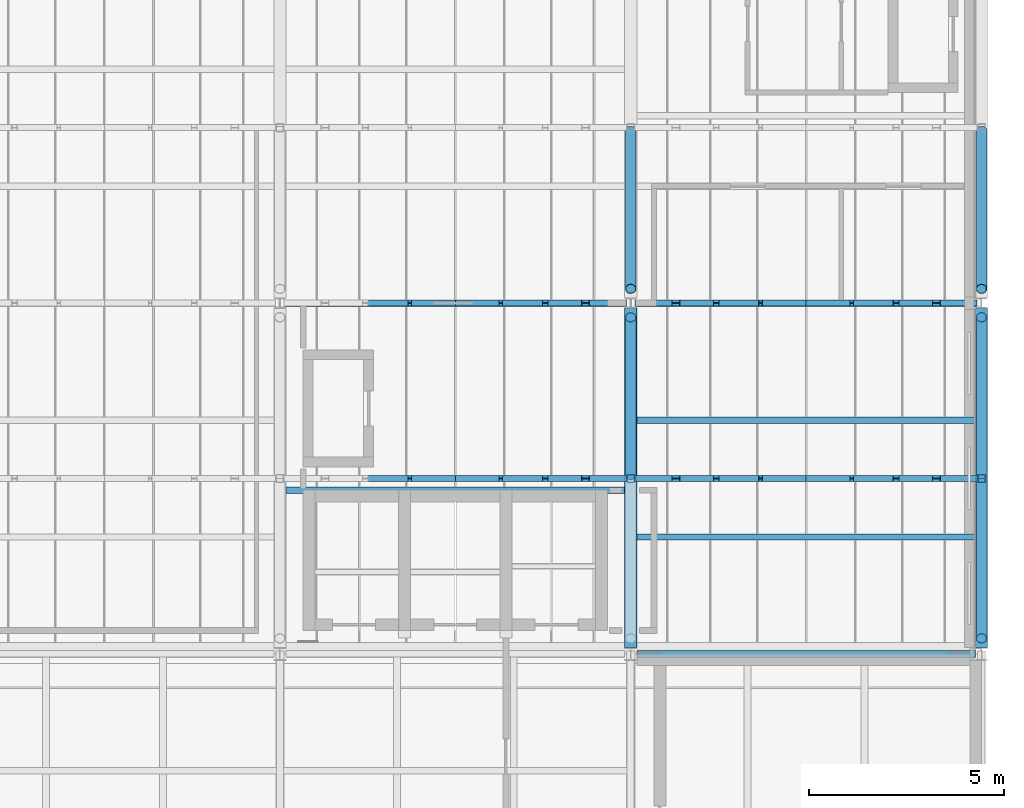
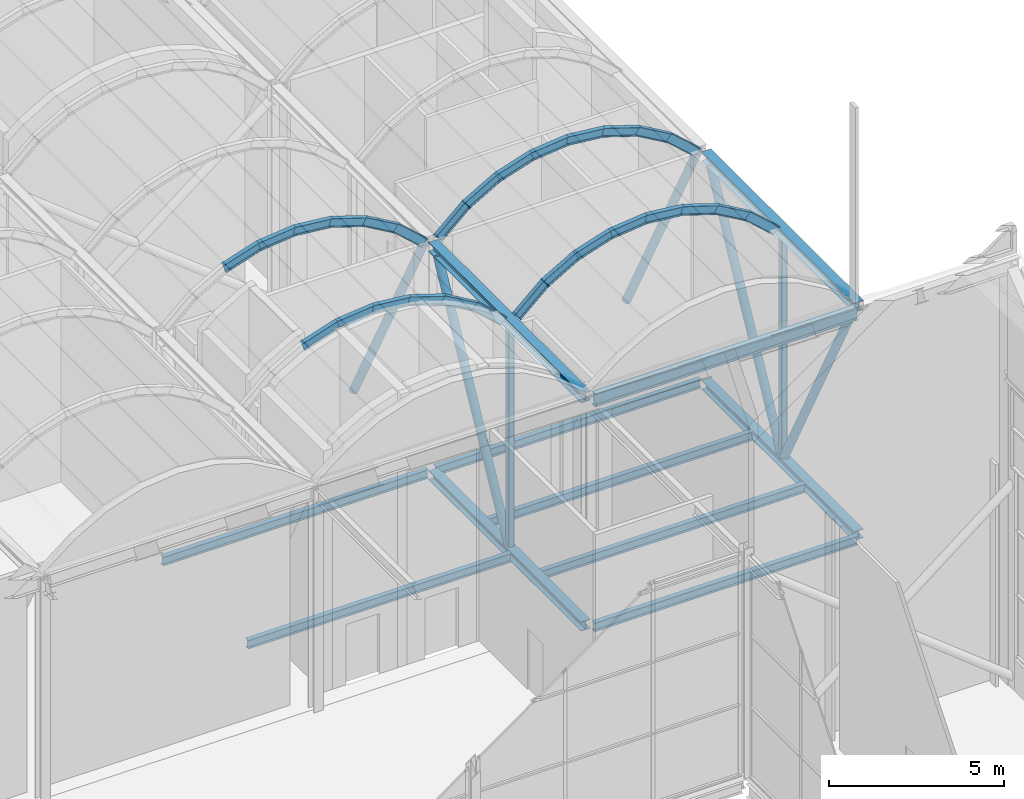
# One storey, part 99 of 144: 35 members, 11 beams.
"""IFC4 building model written with IfcOpenShell, lengths in metres."""

from ifc_helpers import new_model, si_unit, direction, frame, origin, origin_2d, place, context, subcontext, project, spatial, hollow_rectangle, hollow_circle, i_section, extrude, material, material_profile, profile_set, type_object, element, save


model = new_model("IFC4")

# Units and contexts
model_context = context("Model", 3, precision=1e-05, world=origin(), true_north=direction((0.0, 1.0)))
body_context = subcontext(model_context, "Body", "Model", "MODEL_VIEW")
ifc_project = project(units=[si_unit("LENGTHUNIT", "METRE"), si_unit("AREAUNIT", "SQUARE_METRE"), si_unit("VOLUMEUNIT", "CUBIC_METRE"), si_unit("PLANEANGLEUNIT", "RADIAN"), si_unit("MASSUNIT", "GRAM", prefix="KILO")], contexts=[model_context])

# Site, building, storey
site_placement = place(None, origin())
site = spatial("IfcSite", under=ifc_project, at=site_placement, CompositionType="ELEMENT")
building_placement = place(site_placement, origin())
building = spatial("IfcBuilding", under=site, at=building_placement, Name="Shorebreak Coast Museum", CompositionType="ELEMENT")
storey_placement = place(building_placement, frame((0.0, 0.0, 36.0)))
storey = spatial("IfcBuildingStorey", under=building, at=storey_placement, Name="L06", CompositionType="ELEMENT", Elevation=36.0)

# Beams
ifc_material_1 = material(Name="Steel Grade 300", Category="steel")
ifc_material_profile_1 = material_profile(ifc_material_1, i_section(OverallWidth=0.166015625, OverallDepth=0.30712890625, WebThickness=0.006591796875, FlangeThickness=0.01171875, FilletRadius=0.011474609375, at=origin_2d()), Name="310UB46.2")
ifc_profile_set_1 = profile_set([ifc_material_profile_1], Name="Steel Grade 300")
beam_type_1 = type_object("IfcBeamType", Name="Floor girder east-west 310UB46.2", PredefinedType="BEAM", material=ifc_profile_set_1)
beam_1_placement = place(storey_placement, frame((108.155517578125, 90.0, -0.32861328125), z_axis=(1.0, 0.0, 0.0), x_axis=(0.0, 1.0, 0.0)))
element("IfcBeam", 1, at=beam_1_placement, inside=storey, type_object=beam_type_1, Name="Floor girder east-west L06 13L", PredefinedType="BEAM", context=body_context, shape_type="SweptSolid", body=[
    extrude(i_section(OverallWidth=0.166015625, OverallDepth=0.30712890625, WebThickness=0.006591796875, FlangeThickness=0.01171875, FilletRadius=0.011474609375, at=origin_2d()), origin(), (0.0, 0.0, 1.0), 8.68896484375),
])
for number, where, z_axis, x_axis, name in (
    (2, (99.126953125, 99.0, -0.32861328125), (1.0, 0.0, 0.0), (0.0, 1.0, 0.0), "Floor girder east-west L06 12M"),
    (3, (108.126953125, 99.0, -0.32861328125), (1.0, 0.0, 0.0), (0.0, 1.0, 0.0), "Floor girder east-west L06 13M"),
):
    element("IfcBeam", number, at=place(storey_placement, frame(where, z_axis=z_axis, x_axis=x_axis)), inside=storey, type_object=beam_type_1, Name=name, PredefinedType="BEAM", context=body_context, shape_type="SweptSolid", body=[
        extrude(i_section(OverallWidth=0.166015625, OverallDepth=0.30712890625, WebThickness=0.006591796875, FlangeThickness=0.01171875, FilletRadius=0.011474609375, at=origin_2d()), origin(), (0.0, 0.0, 1.0), 8.74609375),
    ])
ifc_material_2 = material(Name="Steel Grade 300", Category="steel")
ifc_material_profile_2 = material_profile(ifc_material_2, i_section(OverallWidth=0.1650390625, OverallDepth=0.303955078125, WebThickness=0.006103515625, FlangeThickness=0.01025390625, FilletRadius=0.011474609375, at=origin_2d()), Name="310UB40.4")
ifc_profile_set_2 = profile_set([ifc_material_profile_2], Name="Steel Grade 300")
beam_type_2 = type_object("IfcBeamType", Name="Floor joist 310UB40.4", PredefinedType="JOIST", material=ifc_profile_set_2)
for number, where, z_axis, x_axis, name in (
    (4, (99.155517578125, 94.199951171875, -0.326904296875), (1.0, 0.0, 0.0), (0.0, 1.0, 0.0), "Floor joist L06 bay 12L at 4200 mm"),
    (5, (108.155517578125, 93.0, -0.326904296875), (1.0, 0.0, 0.0), (0.0, 1.0, 0.0), "Floor joist L06 bay 13L at 3000 mm"),
    (6, (108.155517578125, 96.0, -0.326904296875), (1.0, 0.0, 0.0), (0.0, 1.0, 0.0), "Floor joist L06 bay 13L at 6000 mm"),
):
    element("IfcBeam", number, at=place(storey_placement, frame(where, z_axis=z_axis, x_axis=x_axis)), inside=storey, type_object=beam_type_2, Name=name, PredefinedType="JOIST", context=body_context, shape_type="SweptSolid", body=[
        extrude(i_section(OverallWidth=0.1650390625, OverallDepth=0.303955078125, WebThickness=0.006103515625, FlangeThickness=0.01025390625, FilletRadius=0.011474609375, at=origin_2d()), origin(), (0.0, 0.0, 1.0), 8.68896484375),
    ])
ifc_material_3 = material(Name="Steel Grade 300", Category="steel")
ifc_material_profile_3 = material_profile(ifc_material_3, i_section(OverallWidth=0.18994140625, OverallDepth=0.453857421875, WebThickness=0.008544921875, FlangeThickness=0.0126953125, FilletRadius=0.011474609375, at=origin_2d()), Name="460UB67.1")
ifc_profile_set_3 = profile_set([ifc_material_profile_3], Name="Steel Grade 300")
beam_type_3 = type_object("IfcBeamType", Name="Fold valley girder 460UB67.1", PredefinedType="BEAM", material=ifc_profile_set_3)
beam_2_placement = place(storey_placement, frame((108.155517578125, 90.0, 7.593017578125), z_axis=(1.0, 0.0, 0.0), x_axis=(0.0, 1.0, 0.0)))
element("IfcBeam", 7, at=beam_2_placement, inside=storey, type_object=beam_type_3, Name="Fold valley girder FOLD-X line L bay 13L", PredefinedType="BEAM", context=body_context, shape_type="SweptSolid", body=[
    extrude(i_section(OverallWidth=0.18994140625, OverallDepth=0.453857421875, WebThickness=0.008544921875, FlangeThickness=0.0126953125, FilletRadius=0.011474609375, at=origin_2d()), origin(), (0.0, 0.0, 1.0), 8.68896484375),
])
ifc_material_4 = material(Name="Steel Grade 300", Category="steel")
ifc_material_profile_4 = material_profile(ifc_material_4, i_section(OverallWidth=0.30908203125, OverallDepth=0.320556640625, WebThickness=0.013916015625, FlangeThickness=0.021728515625, FilletRadius=0.0166015625, at=origin_2d()), Name="310UC137")
ifc_profile_set_4 = profile_set([ifc_material_profile_4], Name="Steel Grade 300")
beam_type_4 = type_object("IfcBeamType", Name="Transfer truss chord 310UC137", PredefinedType="BEAM", material=ifc_profile_set_4)
for number, where, z_axis, x_axis, name in (
    (8, (108.0, 90.16357421875, -0.335205078125), (0.0, 1.0, 0.0), (-1.0, 0.0, 0.0), "Transfer truss TR7 chord C05"),
    (9, (117.0, 90.16357421875, -0.335205078125), (0.0, 1.0, 0.0), (-1.0, 0.0, 0.0), "Transfer truss TR8 chord C05"),
):
    element("IfcBeam", number, at=place(storey_placement, frame(where, z_axis=z_axis, x_axis=x_axis)), inside=storey, type_object=beam_type_4, Name=name, PredefinedType="BEAM", context=body_context, shape_type="SweptSolid", body=[
        extrude(i_section(OverallWidth=0.30908203125, OverallDepth=0.320556640625, WebThickness=0.013916015625, FlangeThickness=0.021728515625, FilletRadius=0.0166015625, at=origin_2d()), origin(), (0.0, 0.0, 1.0), 8.70947265625),
    ])
ifc_material_5 = material(Name="Steel Grade 300", Category="steel")
ifc_material_profile_5 = material_profile(ifc_material_5, i_section(OverallWidth=0.31103515625, OverallDepth=0.3271484375, WebThickness=0.015625, FlangeThickness=0.02490234375, FilletRadius=0.0166015625, at=origin_2d()), Name="310UC158")
ifc_profile_set_5 = profile_set([ifc_material_profile_5], Name="Steel Grade 300")
beam_type_5 = type_object("IfcBeamType", Name="Transfer truss chord 310UC158", PredefinedType="BEAM", material=ifc_profile_set_5)
for number, where, z_axis, x_axis, name in (
    (10, (108.0, 90.16357421875, 7.621337890625), (0.0, 1.0, 0.0), (-1.0, 0.0, 0.0), "Transfer truss TR7 chord C09"),
    (11, (117.0, 90.16357421875, 7.621337890625), (0.0, 1.0, 0.0), (-1.0, 0.0, 0.0), "Transfer truss TR8 chord C09"),
):
    element("IfcBeam", number, at=place(storey_placement, frame(where, z_axis=z_axis, x_axis=x_axis)), inside=storey, type_object=beam_type_5, Name=name, PredefinedType="BEAM", context=body_context, shape_type="SweptSolid", body=[
        extrude(i_section(OverallWidth=0.31103515625, OverallDepth=0.3271484375, WebThickness=0.015625, FlangeThickness=0.02490234375, FilletRadius=0.0166015625, at=origin_2d()), origin(), (0.0, 0.0, 1.0), 8.70947265625),
    ])

# Members
ifc_material_6 = material(Name="Steel Grade C350L0", Category="steel")
ifc_material_profile_6 = material_profile(ifc_material_6, hollow_circle(Radius=0.136474609375, WallThickness=0.00927734375, at=origin_2d()), Name="273.1x9.3 CHS")
ifc_profile_set_6 = profile_set([ifc_material_profile_6], Name="Steel Grade C350L0")
member_type_1 = type_object("IfcMemberType", Name="Transfer truss diagonal 273.1x9.3 CHS", PredefinedType="BRACE", material=ifc_profile_set_6)
for number, where, z_axis, x_axis, name in (
    (12, (108.0, 94.585205078125, -0.175048828125), (0.0, 0.468802638879, 0.883302941114), (-1.0, 0.0, 0.0), "Transfer truss TR7 diagonal D11"),
    (13, (108.0, 103.414794921875, -0.175048828125), (0.0, -0.468802638879, 0.883302941114), (1.0, 0.0, 0.0), "Transfer truss TR7 diagonal D12"),
):
    element("IfcMember", number, at=place(storey_placement, frame(where, z_axis=z_axis, x_axis=x_axis)), inside=storey, type_object=member_type_1, Name=name, PredefinedType="BRACE", context=body_context, shape_type="SweptSolid", body=[
        extrude(hollow_circle(Radius=0.136474609375, WallThickness=0.00927734375, at=origin_2d()), origin(), (0.0, 0.0, 1.0), 8.64111328125),
    ])
member_placement = place(storey_placement, frame((117.0, 94.415771484375, -0.175048828125), z_axis=(0.0, -0.465641431585, 0.884973478242), x_axis=(1.0, 0.0, 0.0)))
element("IfcMember", 14, at=member_placement, inside=storey, type_object=member_type_1, Name="Transfer truss TR8 diagonal D10", PredefinedType="BRACE", context=body_context, shape_type="SweptSolid", body=[
    extrude(hollow_circle(Radius=0.136474609375, WallThickness=0.00927734375, at=origin_2d()), origin(), (0.0, 0.0, 1.0), 8.625),
])
for number, where, z_axis, x_axis, name in (
    (15, (117.0, 94.585205078125, -0.175048828125), (0.0, 0.468802638879, 0.883302941114), (-1.0, 0.0, 0.0), "Transfer truss TR8 diagonal D11"),
    (16, (117.0, 103.414794921875, -0.175048828125), (0.0, -0.468802638879, 0.883302941114), (1.0, 0.0, 0.0), "Transfer truss TR8 diagonal D12"),
):
    element("IfcMember", number, at=place(storey_placement, frame(where, z_axis=z_axis, x_axis=x_axis)), inside=storey, type_object=member_type_1, Name=name, PredefinedType="BRACE", context=body_context, shape_type="SweptSolid", body=[
        extrude(hollow_circle(Radius=0.136474609375, WallThickness=0.00927734375, at=origin_2d()), origin(), (0.0, 0.0, 1.0), 8.64111328125),
    ])
ifc_material_7 = material(Name="Steel Grade C450L0", Category="steel")
ifc_material_profile_7 = material_profile(ifc_material_7, hollow_rectangle(XDim=0.199951171875, YDim=0.199951171875, WallThickness=0.009033203125, InnerFilletRadius=0.013427734375, OuterFilletRadius=0.0224609375, at=origin_2d()), Name="200x200x9.0 SHS")
ifc_profile_set_7 = profile_set([ifc_material_profile_7], Name="Steel Grade C450L0")
member_type_2 = type_object("IfcMemberType", Name="Transfer truss strut 200x200x9.0 SHS", PredefinedType="STRUT", material=ifc_profile_set_7)
for number, where, z_axis, x_axis, name in (
    (17, (108.0, 94.5, -0.175048828125), (0.0, 0.0, 1.0), (1.0, 0.0, 0.0), "Transfer truss TR7 strut V08"),
    (18, (117.0, 94.5, -0.175048828125), (0.0, 0.0, 1.0), (1.0, 0.0, 0.0), "Transfer truss TR8 strut V08"),
):
    element("IfcMember", number, at=place(storey_placement, frame(where, z_axis=z_axis, x_axis=x_axis)), inside=storey, type_object=member_type_2, Name=name, PredefinedType="STRUT", context=body_context, shape_type="SweptSolid", body=[
        extrude(hollow_rectangle(XDim=0.199951171875, YDim=0.199951171875, WallThickness=0.009033203125, InnerFilletRadius=0.013427734375, OuterFilletRadius=0.0224609375, at=origin_2d()), origin(), (0.0, 0.0, 1.0), 7.6328125),
    ])
ifc_material_8 = material(Name="Steel Grade 300", Category="steel")
ifc_material_profile_8 = material_profile(ifc_material_8, i_section(OverallWidth=0.14892578125, OverallDepth=0.298095703125, WebThickness=0.005615234375, FlangeThickness=0.008056640625, FilletRadius=0.012939453125, at=origin_2d()), Name="310UB32.0")
ifc_profile_set_8 = profile_set([ifc_material_profile_8], Name="Steel Grade 300")
member_type_3 = type_object("IfcMemberType", Name="Vault arch rib 310UB32.0", PredefinedType="RAFTER", material=ifc_profile_set_8)
for number, where, z_axis, x_axis, name in (
    (19, (101.165283203125, 94.5, 9.152099609375), (0.951225984169, 0.0, 0.308494938436), (0.0, 1.0, 0.0), "Vault arch rib V6 line 01 facet 3"),
    (20, (101.165283203125, 99.0, 9.152099609375), (0.951225984169, 0.0, 0.308494938436), (0.0, 1.0, 0.0), "Vault arch rib V6 line 02 facet 3"),
    (21, (102.298828125, 94.5, 9.52294921875), (0.994539296345, 0.0, 0.104362771266), (0.0, 1.0, 0.0), "Vault arch rib V6 line 01 facet 4"),
    (22, (102.298828125, 99.0, 9.52294921875), (0.994539296345, 0.0, 0.104362771266), (0.0, 1.0, 0.0), "Vault arch rib V6 line 02 facet 4"),
    (23, (103.484375, 94.5, 9.650634765625), (0.994539296345, 0.0, -0.104362771266), (0.0, 1.0, 0.0), "Vault arch rib V6 line 01 facet 5"),
    (24, (103.484375, 99.0, 9.650634765625), (0.994539296345, 0.0, -0.104362771266), (0.0, 1.0, 0.0), "Vault arch rib V6 line 02 facet 5"),
    (25, (104.6708984375, 94.5, 9.529541015625), (0.951225984169, 0.0, -0.308494938436), (0.0, 1.0, 0.0), "Vault arch rib V6 line 01 facet 6"),
    (26, (104.6708984375, 99.0, 9.529541015625), (0.951225984169, 0.0, -0.308494938436), (0.0, 1.0, 0.0), "Vault arch rib V6 line 02 facet 6"),
    (27, (105.80615234375, 94.5, 9.16455078125), (0.866444596228, 0.0, -0.499273233478), (0.0, 1.0, 0.0), "Vault arch rib V6 line 01 facet 7"),
    (28, (105.80615234375, 99.0, 9.16455078125), (0.866444596228, 0.0, -0.499273233478), (0.0, 1.0, 0.0), "Vault arch rib V6 line 02 facet 7"),
):
    element("IfcMember", number, at=place(storey_placement, frame(where, z_axis=z_axis, x_axis=x_axis)), inside=storey, type_object=member_type_3, Name=name, PredefinedType="RAFTER", context=body_context, shape_type="SweptSolid", body=[
        extrude(i_section(OverallWidth=0.14892578125, OverallDepth=0.298095703125, WebThickness=0.005615234375, FlangeThickness=0.008056640625, FilletRadius=0.012939453125, at=origin_2d()), origin(), (0.0, 0.0, 1.0), 1.223388671875),
    ])
for number, where, z_axis, x_axis, name in (
    (29, (106.841064453125, 94.5, 8.572021484375), (0.743894909598, 0.0, -0.668296613394), (0.0, 1.0, 0.0), "Vault arch rib V6 line 01 facet 8"),
    (30, (106.841064453125, 99.0, 8.572021484375), (0.743894909598, 0.0, -0.668296613394), (0.0, 1.0, 0.0), "Vault arch rib V6 line 02 facet 8"),
    (31, (108.21240234375, 94.5, 7.7216796875), (0.743894909598, 0.0, 0.668296613394), (0.0, 1.0, 0.0), "Vault arch rib V7 line 01 facet 1"),
    (32, (108.21240234375, 99.0, 7.7216796875), (0.743894909598, 0.0, 0.668296613394), (0.0, 1.0, 0.0), "Vault arch rib V7 line 02 facet 1"),
):
    element("IfcMember", number, at=place(storey_placement, frame(where, z_axis=z_axis, x_axis=x_axis)), inside=storey, type_object=member_type_3, Name=name, PredefinedType="RAFTER", context=body_context, shape_type="SweptSolid", body=[
        extrude(i_section(OverallWidth=0.14892578125, OverallDepth=0.298095703125, WebThickness=0.005615234375, FlangeThickness=0.008056640625, FilletRadius=0.012939453125, at=origin_2d()), origin(), (0.0, 0.0, 1.0), 1.2724609375),
    ])
for number, where, z_axis, x_axis, name in (
    (33, (109.1337890625, 94.5, 8.5537109375), (0.866444596228, 0.0, 0.499273233478), (0.0, 1.0, 0.0), "Vault arch rib V7 line 01 facet 2"),
    (34, (109.1337890625, 99.0, 8.5537109375), (0.866444596228, 0.0, 0.499273233478), (0.0, 1.0, 0.0), "Vault arch rib V7 line 02 facet 2"),
    (35, (110.165283203125, 94.5, 9.152099609375), (0.951225984169, 0.0, 0.308494938436), (0.0, 1.0, 0.0), "Vault arch rib V7 line 01 facet 3"),
    (36, (110.165283203125, 99.0, 9.152099609375), (0.951225984169, 0.0, 0.308494938436), (0.0, 1.0, 0.0), "Vault arch rib V7 line 02 facet 3"),
    (37, (111.298828125, 94.5, 9.52294921875), (0.994539296345, 0.0, 0.104362771266), (0.0, 1.0, 0.0), "Vault arch rib V7 line 01 facet 4"),
    (38, (111.298828125, 99.0, 9.52294921875), (0.994539296345, 0.0, 0.104362771266), (0.0, 1.0, 0.0), "Vault arch rib V7 line 02 facet 4"),
    (39, (112.484375, 94.5, 9.650634765625), (0.994539296345, 0.0, -0.104362771266), (0.0, 1.0, 0.0), "Vault arch rib V7 line 01 facet 5"),
    (40, (112.484375, 99.0, 9.650634765625), (0.994539296345, 0.0, -0.104362771266), (0.0, 1.0, 0.0), "Vault arch rib V7 line 02 facet 5"),
    (41, (113.6708984375, 94.5, 9.529541015625), (0.951225984169, 0.0, -0.308494938436), (0.0, 1.0, 0.0), "Vault arch rib V7 line 01 facet 6"),
    (42, (113.6708984375, 99.0, 9.529541015625), (0.951225984169, 0.0, -0.308494938436), (0.0, 1.0, 0.0), "Vault arch rib V7 line 02 facet 6"),
    (43, (114.80615234375, 94.5, 9.16455078125), (0.866444596228, 0.0, -0.499273233478), (0.0, 1.0, 0.0), "Vault arch rib V7 line 01 facet 7"),
    (44, (114.80615234375, 99.0, 9.16455078125), (0.866444596228, 0.0, -0.499273233478), (0.0, 1.0, 0.0), "Vault arch rib V7 line 02 facet 7"),
):
    element("IfcMember", number, at=place(storey_placement, frame(where, z_axis=z_axis, x_axis=x_axis)), inside=storey, type_object=member_type_3, Name=name, PredefinedType="RAFTER", context=body_context, shape_type="SweptSolid", body=[
        extrude(i_section(OverallWidth=0.14892578125, OverallDepth=0.298095703125, WebThickness=0.005615234375, FlangeThickness=0.008056640625, FilletRadius=0.012939453125, at=origin_2d()), origin(), (0.0, 0.0, 1.0), 1.223388671875),
    ])
for number, where, z_axis, x_axis, name in (
    (45, (115.841064453125, 94.5, 8.572021484375), (0.743894909598, 0.0, -0.668296613394), (0.0, 1.0, 0.0), "Vault arch rib V7 line 01 facet 8"),
    (46, (115.841064453125, 99.0, 8.572021484375), (0.743894909598, 0.0, -0.668296613394), (0.0, 1.0, 0.0), "Vault arch rib V7 line 02 facet 8"),
):
    element("IfcMember", number, at=place(storey_placement, frame(where, z_axis=z_axis, x_axis=x_axis)), inside=storey, type_object=member_type_3, Name=name, PredefinedType="RAFTER", context=body_context, shape_type="SweptSolid", body=[
        extrude(i_section(OverallWidth=0.14892578125, OverallDepth=0.298095703125, WebThickness=0.005615234375, FlangeThickness=0.008056640625, FilletRadius=0.012939453125, at=origin_2d()), origin(), (0.0, 0.0, 1.0), 1.2724609375),
    ])

save(model, "model.ifc")
